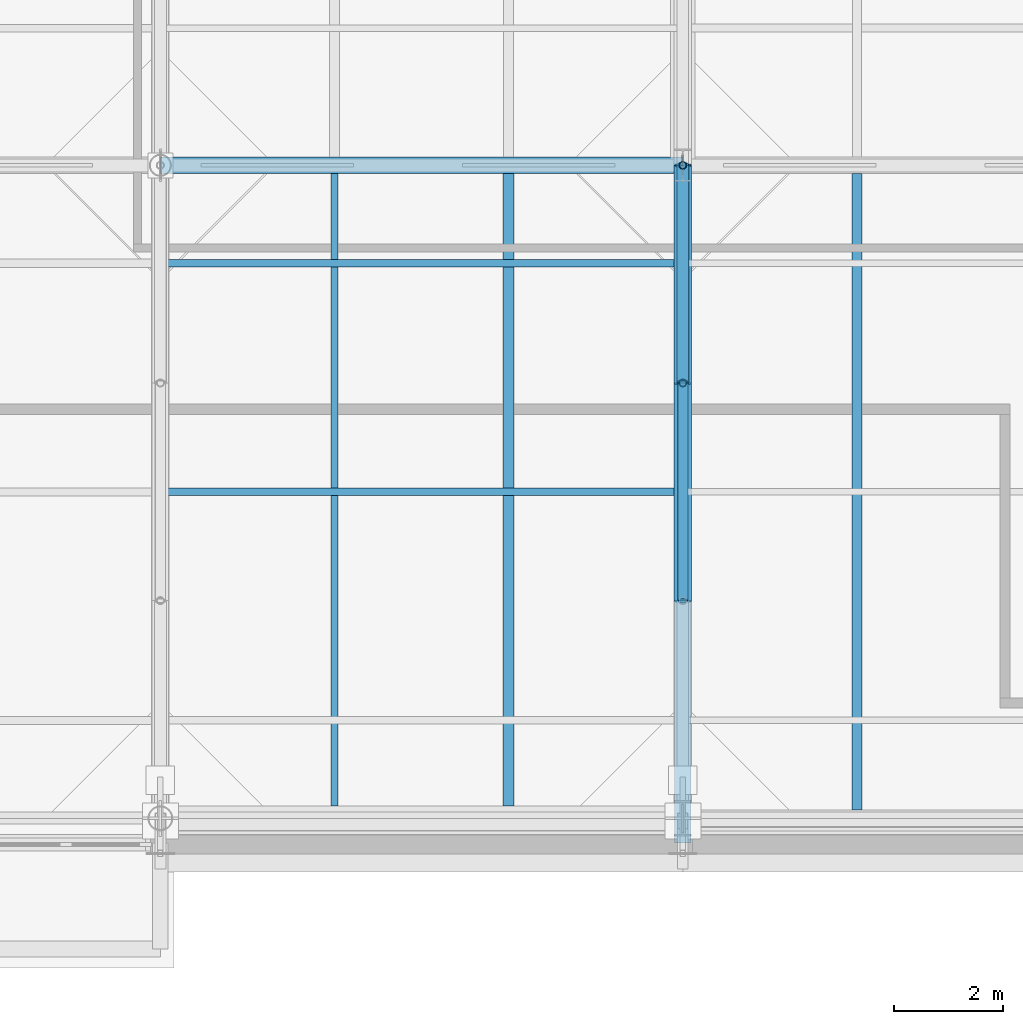
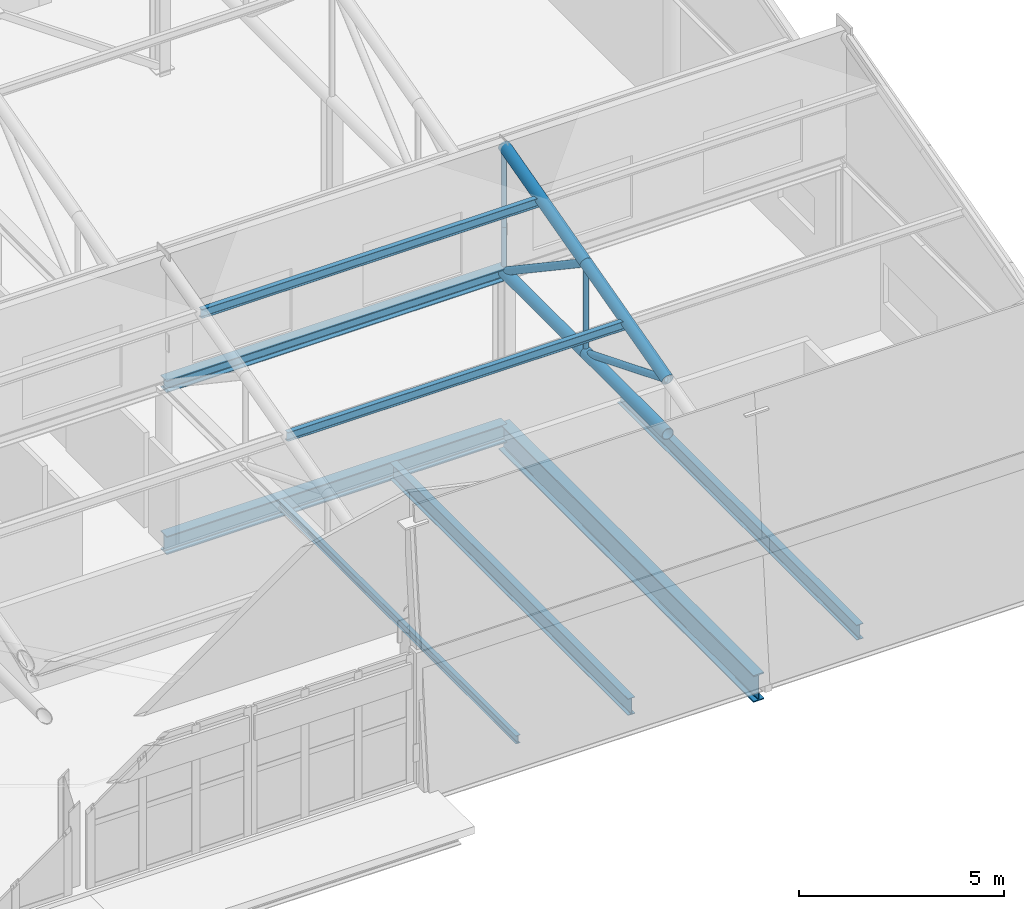
# One storey, part 46 of 89: 11 members, 6 beams.
"""IFC4 building model written with IfcOpenShell, lengths in metres."""

from ifc_helpers import new_model, si_unit, direction, frame, origin, origin_2d, place, context, subcontext, project, spatial, hollow_circle, i_section, extrude, material, material_profile, profile_set, type_object, element, save


model = new_model("IFC4")

# Units and contexts
model_context = context("Model", 3, precision=1e-05, world=origin(), true_north=direction((0.0, 1.0)))
body_context = subcontext(model_context, "Body", "Model", "MODEL_VIEW")
ifc_project = project(units=[si_unit("LENGTHUNIT", "METRE"), si_unit("AREAUNIT", "SQUARE_METRE"), si_unit("VOLUMEUNIT", "CUBIC_METRE"), si_unit("PLANEANGLEUNIT", "RADIAN"), si_unit("MASSUNIT", "GRAM", prefix="KILO")], contexts=[model_context])

# Site, building, storey
site_placement = place(None, origin())
site = spatial("IfcSite", under=ifc_project, at=site_placement, CompositionType="ELEMENT")
building_placement = place(site_placement, origin())
building = spatial("IfcBuilding", under=site, at=building_placement, Name="Zereglee Splitstone Museum", CompositionType="ELEMENT")
storey_placement = place(building_placement, frame((0.0, 0.0, 21.300048828125)))
storey = spatial("IfcBuildingStorey", under=building, at=storey_placement, Name="L04", CompositionType="ELEMENT", Elevation=21.300048828125)

# Members
ifc_material_1 = material(Name="Steel S355J2H", Category="steel")
ifc_material_profile_1 = material_profile(ifc_material_1, hollow_circle(Radius=0.096923828125, WallThickness=0.010009765625, at=origin_2d()), Name="CHS 193.7x10")
ifc_profile_set_1 = profile_set([ifc_material_profile_1], Name="Steel S355J2H")
member_type_1 = type_object("IfcMemberType", Name="TB-04", PredefinedType="BRACE", material=ifc_profile_set_1)
member_1_placement = place(storey_placement, frame((135.60009765625, 17.60009765625, 4.199951171875), z_axis=(0.0, -0.927136001435, 0.374725012299), x_axis=(1.0, 0.0, 0.0)))
element("IfcMember", 1, at=member_1_placement, inside=storey, type_object=member_type_1, Name="Roof Truss ST-07 Diagonal 1.2", PredefinedType="BRACE", context=body_context, shape_type="SweptSolid", body=[
    extrude(hollow_circle(Radius=0.096923828125, WallThickness=0.010009765625, at=origin_2d()), origin(), (0.0, 0.0, 1.0), 4.314453125),
])
ifc_material_profile_2 = material_profile(ifc_material_1, hollow_circle(Radius=0.109619140625, WallThickness=0.010009765625, at=origin_2d()), Name="CHS 219.1x10")
ifc_profile_set_2 = profile_set([ifc_material_profile_2], Name="Steel S355J2H")
member_type_2 = type_object("IfcMemberType", Name="TB-03", PredefinedType="BRACE", material=ifc_profile_set_2)
member_2_placement = place(storey_placement, frame((135.60009765625, 21.60009765625, 4.199951171875), z_axis=(0.0, -0.830448263685, 0.557095755991), x_axis=(1.0, 0.0, 0.0)))
element("IfcMember", 2, at=member_2_placement, inside=storey, type_object=member_type_2, Name="Roof Truss ST-07 Diagonal 1.3", PredefinedType="BRACE", context=body_context, shape_type="SweptSolid", body=[
    extrude(hollow_circle(Radius=0.109619140625, WallThickness=0.010009765625, at=origin_2d()), origin(), (0.0, 0.0, 1.0), 4.816650390625),
])
ifc_material_profile_3 = material_profile(ifc_material_1, hollow_circle(Radius=0.161865234375, WallThickness=0.01611328125, at=origin_2d()), Name="CHS 323.9x16")
ifc_profile_set_3 = profile_set([ifc_material_profile_3], Name="Steel S355J2H")
member_type_3 = type_object("IfcMemberType", Name="TC-05", PredefinedType="CHORD", material=ifc_profile_set_3)
member_3_placement = place(storey_placement, frame((135.60009765625, 13.60009765625, 4.199951171875), z_axis=(0.0, 1.0, 0.0), x_axis=(-1.0, 0.0, 0.0)))
element("IfcMember", 3, at=member_3_placement, inside=storey, type_object=member_type_3, Name="Roof Truss ST-07 Bottom Chord 1.2", PredefinedType="CHORD", context=body_context, shape_type="SweptSolid", body=[
    extrude(hollow_circle(Radius=0.161865234375, WallThickness=0.01611328125, at=origin_2d()), origin(), (0.0, 0.0, 1.0), 4.0),
])
member_4_placement = place(storey_placement, frame((135.60009765625, 13.60009765625, 5.816650390625), z_axis=(0.0, 0.966235918422, 0.257658979955), x_axis=(-1.0, 0.0, 0.0)))
element("IfcMember", 4, at=member_4_placement, inside=storey, type_object=member_type_3, Name="Roof Truss ST-07 Top Chord 1.2", PredefinedType="CHORD", context=body_context, shape_type="SweptSolid", body=[
    extrude(hollow_circle(Radius=0.161865234375, WallThickness=0.01611328125, at=origin_2d()), origin(), (0.0, 0.0, 1.0), 4.139892578125),
])
member_5_placement = place(storey_placement, frame((135.60009765625, 17.60009765625, 4.199951171875), z_axis=(0.0, 1.0, 0.0), x_axis=(-1.0, 0.0, 0.0)))
element("IfcMember", 5, at=member_5_placement, inside=storey, type_object=member_type_3, Name="Roof Truss ST-07 Bottom Chord 1.3", PredefinedType="CHORD", context=body_context, shape_type="SweptSolid", body=[
    extrude(hollow_circle(Radius=0.161865234375, WallThickness=0.01611328125, at=origin_2d()), origin(), (0.0, 0.0, 1.0), 4.0),
])
member_6_placement = place(storey_placement, frame((135.60009765625, 17.60009765625, 6.88330078125), z_axis=(0.0, 0.966235918422, 0.257658979955), x_axis=(-1.0, 0.0, 0.0)))
element("IfcMember", 6, at=member_6_placement, inside=storey, type_object=member_type_3, Name="Roof Truss ST-07 Top Chord 1.3", PredefinedType="CHORD", context=body_context, shape_type="SweptSolid", body=[
    extrude(hollow_circle(Radius=0.161865234375, WallThickness=0.01611328125, at=origin_2d()), origin(), (0.0, 0.0, 1.0), 4.139892578125),
])

# Beams
ifc_material_2 = material(Name="Steel S355J2", Category="steel")
ifc_material_profile_4 = material_profile(ifc_material_2, i_section(OverallWidth=0.300048828125, OverallDepth=0.360107421875, WebThickness=0.012451171875, FlangeThickness=0.0224609375, FilletRadius=0.027099609375, at=origin_2d()), Name="HE 360 B")
ifc_profile_set_4 = profile_set([ifc_material_profile_4], Name="Steel S355J2")
beam_type_1 = type_object("IfcBeamType", Name="BG-14", PredefinedType="BEAM", material=ifc_profile_set_4)
beam_1_placement = place(storey_placement, frame((126.0, 21.60009765625, 4.199951171875), z_axis=(1.0, 0.0, 0.0), x_axis=(0.0, 1.0, 0.0)))
element("IfcBeam", 7, at=beam_1_placement, inside=storey, type_object=beam_type_1, Name="Sawtooth Monitor Sill Beam B6-S1", PredefinedType="BEAM", context=body_context, shape_type="SweptSolid", body=[
    extrude(i_section(OverallWidth=0.300048828125, OverallDepth=0.360107421875, WebThickness=0.012451171875, FlangeThickness=0.0224609375, FilletRadius=0.027099609375, at=origin_2d()), origin(), (0.0, 0.0, 1.0), 9.60009765625),
])
ifc_material_profile_5 = material_profile(ifc_material_2, i_section(OverallWidth=0.300048828125, OverallDepth=0.550048828125, WebThickness=0.014892578125, FlangeThickness=0.029052734375, FilletRadius=0.027099609375, at=origin_2d()), Name="HE 550 B")
ifc_profile_set_5 = profile_set([ifc_material_profile_5], Name="Steel S355J2")
beam_type_2 = type_object("IfcBeamType", Name="BG-11", PredefinedType="BEAM", material=ifc_profile_set_5)
beam_2_placement = place(storey_placement, frame((126.0, 21.60009765625, -0.53515625), z_axis=(1.0, 0.0, 0.0), x_axis=(0.0, 1.0, 0.0)))
element("IfcBeam", 8, at=beam_2_placement, inside=storey, type_object=beam_type_2, Name="Primary Girder L04 C (126.0-135.6)", PredefinedType="BEAM", context=body_context, shape_type="SweptSolid", body=[
    extrude(i_section(OverallWidth=0.300048828125, OverallDepth=0.550048828125, WebThickness=0.014892578125, FlangeThickness=0.029052734375, FilletRadius=0.027099609375, at=origin_2d()), origin(), (0.0, 0.0, 1.0), 9.60009765625),
])
ifc_material_profile_6 = material_profile(ifc_material_2, i_section(OverallWidth=0.300048828125, OverallDepth=0.800048828125, WebThickness=0.017578125, FlangeThickness=0.032958984375, FilletRadius=0.030029296875, at=origin_2d()), Name="HE 800 B")
ifc_profile_set_6 = profile_set([ifc_material_profile_6], Name="Steel S355J2")
beam_type_3 = type_object("IfcBeamType", Name="BG-07", PredefinedType="BEAM", material=ifc_profile_set_6)
beam_3_placement = place(storey_placement, frame((135.60009765625, 9.14990234375, -0.66015625), z_axis=(0.0, 1.0, 0.0), x_axis=(-1.0, 0.0, 0.0)))
element("IfcBeam", 9, at=beam_3_placement, inside=storey, type_object=beam_type_3, Name="Primary Girder L04 16 (9.2-21.6)", PredefinedType="BEAM", context=body_context, shape_type="SweptSolid", body=[
    extrude(i_section(OverallWidth=0.300048828125, OverallDepth=0.800048828125, WebThickness=0.017578125, FlangeThickness=0.032958984375, FilletRadius=0.030029296875, at=origin_2d()), origin(), (0.0, 0.0, 1.0), 12.4501953125),
])
ifc_material_profile_7 = material_profile(ifc_material_2, i_section(OverallWidth=0.1201171875, OverallDepth=0.239990234375, WebThickness=0.006103515625, FlangeThickness=0.009765625, FilletRadius=0.014892578125, at=origin_2d()), Name="IPE 240")
ifc_profile_set_7 = profile_set([ifc_material_profile_7], Name="Steel S355J2")
beam_type_4 = type_object("IfcBeamType", Name="BJ-07", PredefinedType="JOIST", material=ifc_profile_set_7)
beam_4_placement = place(storey_placement, frame((129.199951171875, 9.824951171875, -0.380126953125), z_axis=(0.0, 1.0, 0.0), x_axis=(-1.0, 0.0, 0.0)))
element("IfcBeam", 10, at=beam_4_placement, inside=storey, type_object=beam_type_4, Name="Secondary Floor Joist L04-1518", PredefinedType="JOIST", context=body_context, shape_type="SweptSolid", body=[
    extrude(i_section(OverallWidth=0.1201171875, OverallDepth=0.239990234375, WebThickness=0.006103515625, FlangeThickness=0.009765625, FilletRadius=0.014892578125, at=origin_2d()), origin(), (0.0, 0.0, 1.0), 11.625),
])
ifc_material_profile_8 = material_profile(ifc_material_2, i_section(OverallWidth=0.18994140625, OverallDepth=0.449951171875, WebThickness=0.009521484375, FlangeThickness=0.0146484375, FilletRadius=0.02099609375, at=origin_2d()), Name="IPE 450")
ifc_profile_set_8 = profile_set([ifc_material_profile_8], Name="Steel S355J2")
beam_type_5 = type_object("IfcBeamType", Name="BJ-02", PredefinedType="JOIST", material=ifc_profile_set_8)
beam_5_placement = place(storey_placement, frame((138.800048828125, 9.75, -0.485107421875), z_axis=(0.0, 1.0, 0.0), x_axis=(-1.0, 0.0, 0.0)))
element("IfcBeam", 11, at=beam_5_placement, inside=storey, type_object=beam_type_5, Name="Secondary Floor Joist L04-1520", PredefinedType="JOIST", context=body_context, shape_type="SweptSolid", body=[
    extrude(i_section(OverallWidth=0.18994140625, OverallDepth=0.449951171875, WebThickness=0.009521484375, FlangeThickness=0.0146484375, FilletRadius=0.02099609375, at=origin_2d()), origin(), (0.0, 0.0, 1.0), 11.699951171875),
])
ifc_material_profile_9 = material_profile(ifc_material_2, i_section(OverallWidth=0.199951171875, OverallDepth=0.5, WebThickness=0.01025390625, FlangeThickness=0.01611328125, FilletRadius=0.02099609375, at=origin_2d()), Name="IPE 500")
ifc_profile_set_9 = profile_set([ifc_material_profile_9], Name="Steel S355J2")
beam_type_6 = type_object("IfcBeamType", Name="BJ-01", PredefinedType="JOIST", material=ifc_profile_set_9)
beam_6_placement = place(storey_placement, frame((132.39990234375, 9.824951171875, -0.510009765625), z_axis=(0.0, 1.0, 0.0), x_axis=(-1.0, 0.0, 0.0)))
element("IfcBeam", 12, at=beam_6_placement, inside=storey, type_object=beam_type_6, Name="Secondary Floor Joist L04-1519", PredefinedType="JOIST", context=body_context, shape_type="SweptSolid", body=[
    extrude(i_section(OverallWidth=0.199951171875, OverallDepth=0.5, WebThickness=0.01025390625, FlangeThickness=0.01611328125, FilletRadius=0.02099609375, at=origin_2d()), origin(), (0.0, 0.0, 1.0), 11.625),
])

# Members
ifc_material_profile_10 = material_profile(ifc_material_1, hollow_circle(Radius=0.06982421875, WallThickness=0.008056640625, at=origin_2d()), Name="CHS 139.7x8")
ifc_profile_set_10 = profile_set([ifc_material_profile_10], Name="Steel S355J2H")
member_type_4 = type_object("IfcMemberType", Name="TP-03", PredefinedType="POST", material=ifc_profile_set_10)
member_7_placement = place(storey_placement, frame((135.60009765625, 17.60009765625, 4.199951171875), z_axis=(0.0, 0.0, 1.0), x_axis=(1.0, 0.0, 0.0)))
element("IfcMember", 13, at=member_7_placement, inside=storey, type_object=member_type_4, Name="Roof Truss ST-07 Post 1.2", PredefinedType="POST", context=body_context, shape_type="SweptSolid", body=[
    extrude(hollow_circle(Radius=0.06982421875, WallThickness=0.008056640625, at=origin_2d()), origin(), (0.0, 0.0, 1.0), 2.683349609375),
])
member_8_placement = place(storey_placement, frame((135.60009765625, 21.60009765625, 4.199951171875), z_axis=(0.0, 0.0, 1.0), x_axis=(1.0, 0.0, 0.0)))
element("IfcMember", 14, at=member_8_placement, inside=storey, type_object=member_type_4, Name="Roof Truss ST-07 Post 1.3", PredefinedType="POST", context=body_context, shape_type="SweptSolid", body=[
    extrude(hollow_circle(Radius=0.06982421875, WallThickness=0.008056640625, at=origin_2d()), origin(), (0.0, 0.0, 1.0), 3.75),
])
member_9_placement = place(storey_placement, frame((135.60009765625, 21.60009765625, 4.199951171875), z_axis=(0.0, 0.0, 1.0), x_axis=(1.0, 0.0, 0.0)))
element("IfcMember", 15, at=member_9_placement, inside=storey, type_object=member_type_4, Name="Roof Truss ST-07 Post 2.0", PredefinedType="POST", context=body_context, shape_type="SweptSolid", body=[
    extrude(hollow_circle(Radius=0.06982421875, WallThickness=0.008056640625, at=origin_2d()), origin(), (0.0, 0.0, 1.0), 1.35009765625),
])
ifc_material_profile_11 = material_profile(ifc_material_2, i_section(OverallWidth=0.135009765625, OverallDepth=0.27001953125, WebThickness=0.006591796875, FlangeThickness=0.01025390625, FilletRadius=0.014892578125, at=origin_2d()), Name="IPE 270")
ifc_profile_set_11 = profile_set([ifc_material_profile_11], Name="Steel S355J2")
member_type_5 = type_object("IfcMemberType", Name="PR-02", PredefinedType="PURLIN", material=ifc_profile_set_11)
for number, where, z_axis, x_axis, name in (
    (16, (126.0, 15.60009765625, 6.28857421875), (1.0, 0.0, 0.0), (0.0, 1.0, 0.0), "Sawtooth Roof Purlin B6-S1-2"),
    (17, (126.0, 19.800048828125, 7.40869140625), (1.0, 0.0, 0.0), (0.0, 1.0, 0.0), "Sawtooth Roof Purlin B6-S1-3"),
):
    element("IfcMember", number, at=place(storey_placement, frame(where, z_axis=z_axis, x_axis=x_axis)), inside=storey, type_object=member_type_5, Name=name, PredefinedType="PURLIN", context=body_context, shape_type="SweptSolid", body=[
        extrude(i_section(OverallWidth=0.135009765625, OverallDepth=0.27001953125, WebThickness=0.006591796875, FlangeThickness=0.01025390625, FilletRadius=0.014892578125, at=origin_2d()), origin(), (0.0, 0.0, 1.0), 9.60009765625),
    ])

save(model, "model.ifc")
